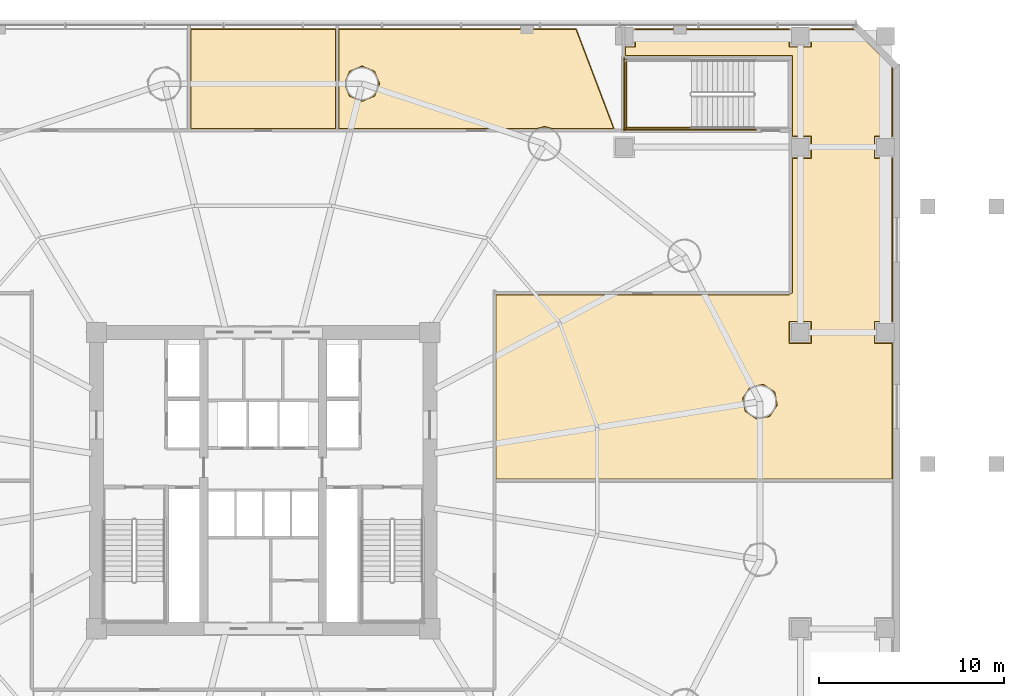
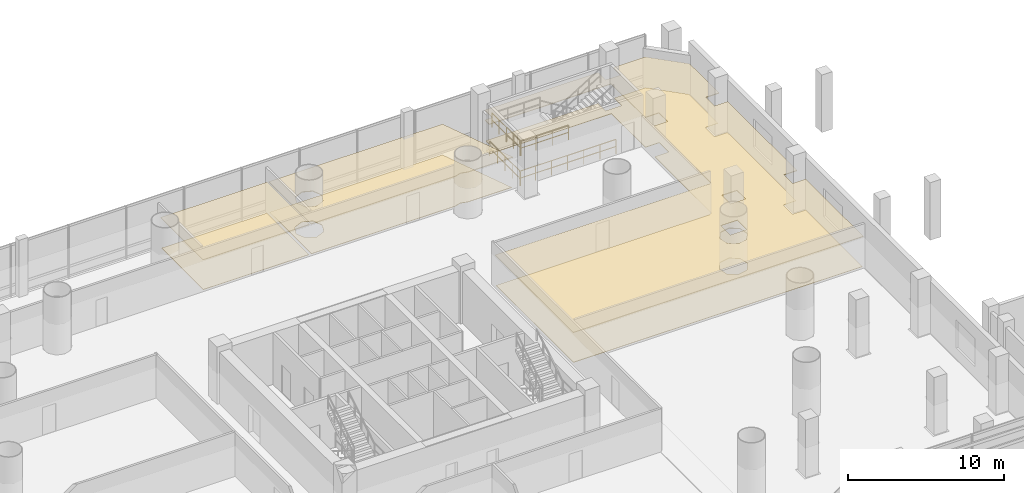
# One storey, part 32 of 36: 6 coverings, 4 railings.
"""IFC4 building model written with IfcOpenShell, lengths in metres."""

from ifc_helpers import new_model, si_unit, direction, frame, origin, origin_2d, place, context, subcontext, project, spatial, polyline, rectangle, outline, extrude, material, layer, layer_set, type_object, element, save


model = new_model("IFC4")

# Units and contexts
model_context = context("Model", 3, precision=1e-05, world=origin(), true_north=direction((-0.2419218956, 0.970295726276)))
body_context = subcontext(model_context, "Body", "Model", "MODEL_VIEW")
ifc_project = project(units=[si_unit("LENGTHUNIT", "METRE"), si_unit("AREAUNIT", "SQUARE_METRE"), si_unit("VOLUMEUNIT", "CUBIC_METRE"), si_unit("PLANEANGLEUNIT", "RADIAN"), si_unit("MASSUNIT", "GRAM", prefix="KILO")], contexts=[model_context])

# Site, building, storey
site_placement = place(None, origin())
site = spatial("IfcSite", under=ifc_project, at=site_placement, CompositionType="ELEMENT")
building_placement = place(site_placement, origin())
building = spatial("IfcBuilding", under=site, at=building_placement, Name="Cobrevalo Terracotta Tower", CompositionType="ELEMENT")
storey_placement = place(building_placement, frame((0.0, 0.0, 14.39990234375)))
storey = spatial("IfcBuildingStorey", under=building, at=storey_placement, Name="L03", CompositionType="ELEMENT", Elevation=14.39990234375)

# Coverings
ifc_material_1 = material(Name="Honed terracotta and granite tile", Category="masonry")
ifc_layer_1 = layer(ifc_material_1, 0.034912109375)
ifc_layer_set_1 = layer_set([ifc_layer_1], Name="Honed terracotta and granite tile")
covering_type_1 = type_object("IfcCoveringType", Name="Honed Terracotta & Granite Interior Flooring 35", PredefinedType="FLOORING", material=ifc_layer_set_1)
covering_1_placement = place(storey_placement, origin())
element("IfcCovering", 1, at=covering_1_placement, inside=storey, type_object=covering_type_1, Name="L03 Athletic Fitness Gym floor finish", PredefinedType="FLOORING", context=body_context, shape_type="SweptSolid", body=[
    extrude(outline(polyline([(50.580078125, 26.89990234375), (50.580078125, 36.820068359375), (66.40185546875, 36.820068359375), (66.572998046875, 36.947509765625), (66.578857421875, 44.199951171875), (67.60009765625, 44.199951171875), (67.60009765625, 45.39990234375), (66.579833984375, 45.39990234375), (66.570068359375, 49.739990234375), (57.550048828125, 49.739990234375), (57.550048828125, 50.199951171875), (58.10009765625, 50.199951171875), (58.10009765625, 51.159912109375), (66.39990234375, 51.159912109375), (66.39990234375, 50.199951171875), (67.60009765625, 50.199951171875), (67.60009765625, 51.159912109375), (69.921630859375, 51.159912109375), (71.9599609375, 49.121826171875), (71.9599609375, 45.39990234375), (71.0, 45.39990234375), (71.0, 44.199951171875), (71.9599609375, 44.199951171875), (71.9599609375, 35.39990234375), (71.0, 35.39990234375), (71.0, 34.199951171875), (71.9599609375, 34.199951171875), (71.9599609375, 26.89990234375), (50.580078125, 26.89990234375)]), holes=[polyline([(66.39990234375, 34.199951171875), (67.60009765625, 34.199951171875), (67.60009765625, 35.39990234375), (66.39990234375, 35.39990234375), (66.39990234375, 34.199951171875)]), polyline([(65.35791015625, 30.264404296875), (65.76611328125, 30.87548828125), (65.622802734375, 31.59619140625), (65.01171875, 32.00439453125), (64.291015625, 31.861083984375), (63.8828125, 31.25), (64.026123046875, 30.529296875), (64.63720703125, 30.12109375), (65.35791015625, 30.264404296875)])]), origin(), (0.0, 0.0, 1.0), 0.030029296875),
])
covering_2_placement = place(storey_placement, origin())
element("IfcCovering", 2, at=covering_2_placement, inside=storey, type_object=covering_type_1, Name="L03 Accessible Restroom WC floor finish", PredefinedType="FLOORING", context=body_context, shape_type="SweptSolid", body=[
    extrude(outline(polyline([(41.89990234375, 45.800048828125), (34.10009765625, 45.800048828125), (34.10009765625, 51.159912109375), (41.89990234375, 51.159912109375), (41.89990234375, 45.800048828125)])), origin(), (0.0, 0.0, 1.0), 0.030029296875),
])
covering_3_placement = place(storey_placement, origin())
element("IfcCovering", 3, at=covering_3_placement, inside=storey, type_object=covering_type_1, Name="L03 Podium Housekeeping Store floor finish", PredefinedType="FLOORING", context=body_context, shape_type="SweptSolid", body=[
    extrude(outline(polyline([(56.9208984375, 45.800048828125), (53.66455078125, 45.800048828125), (53.19482421875, 45.927734375), (52.725341796875, 45.800048828125), (42.10009765625, 45.800048828125), (42.10009765625, 51.159912109375), (54.88623046875, 51.159912109375), (56.9208984375, 45.800048828125)]), holes=[polyline([(44.0146484375, 47.55126953125), (44.2958984375, 48.230224609375), (44.0146484375, 48.908935546875), (43.335693359375, 49.190185546875), (42.65673828125, 48.908935546875), (42.375732421875, 48.230224609375), (42.65673828125, 47.55126953125), (43.335693359375, 47.27001953125), (44.0146484375, 47.55126953125)])]), origin(), (0.0, 0.0, 1.0), 0.030029296875),
])
ifc_material_2 = material(Name="Moisture-resistant mineral fibre ceiling", Category="gypsum")
ifc_layer_2 = layer(ifc_material_2, 0.0400390625)
ifc_layer_set_2 = layer_set([ifc_layer_2], Name="Moisture-resistant mineral fibre ceiling")
covering_type_2 = type_object("IfcCoveringType", Name="Moisture-Resistant Wet-Room Ceiling 40", PredefinedType="CEILING", material=ifc_layer_set_2)
covering_4_placement = place(storey_placement, frame((0.0, 0.0, 2.360107421875)))
element("IfcCovering", 4, at=covering_4_placement, inside=storey, type_object=covering_type_2, Name="L03 Accessible Restroom WC acoustic ceiling", PredefinedType="CEILING", context=body_context, shape_type="SweptSolid", body=[
    extrude(outline(polyline([(41.945068359375, 45.7548828125), (34.054931640625, 45.7548828125), (34.054931640625, 51.205078125), (41.945068359375, 51.205078125), (41.945068359375, 45.7548828125)])), origin(), (0.0, 0.0, 1.0), 0.050048828125),
])
ifc_material_3 = material(Name="Acoustic perforated gypsum ceiling", Category="gypsum")
ifc_layer_3 = layer(ifc_material_3, 0.050048828125)
ifc_layer_set_3 = layer_set([ifc_layer_3], Name="Acoustic perforated gypsum ceiling")
covering_type_3 = type_object("IfcCoveringType", Name="Perforated Acoustic Gypsum Ceiling 50", PredefinedType="CEILING", material=ifc_layer_set_3)
covering_5_placement = place(storey_placement, frame((0.0, 0.0, 2.360107421875)))
element("IfcCovering", 5, at=covering_5_placement, inside=storey, type_object=covering_type_3, Name="L03 Athletic Fitness Gym acoustic ceiling", PredefinedType="CEILING", context=body_context, shape_type="SweptSolid", body=[
    extrude(outline(polyline([(50.534912109375, 26.85498046875), (50.534912109375, 36.864990234375), (66.3974609375, 36.864990234375), (66.528076171875, 36.961181640625), (66.533935546875, 44.2451171875), (67.554931640625, 44.2451171875), (67.554931640625, 45.35498046875), (66.53466796875, 45.35498046875), (66.52490234375, 49.695068359375), (57.5048828125, 49.695068359375), (57.5048828125, 50.2451171875), (58.054931640625, 50.2451171875), (58.054931640625, 51.205078125), (66.445068359375, 51.205078125), (66.445068359375, 50.2451171875), (67.554931640625, 50.2451171875), (67.554931640625, 51.205078125), (69.9404296875, 51.205078125), (72.0048828125, 49.140380859375), (72.0048828125, 45.35498046875), (71.044921875, 45.35498046875), (71.044921875, 44.2451171875), (72.0048828125, 44.2451171875), (72.0048828125, 35.35498046875), (71.044921875, 35.35498046875), (71.044921875, 34.2451171875), (72.0048828125, 34.2451171875), (72.0048828125, 26.85498046875), (50.534912109375, 26.85498046875)]), holes=[polyline([(66.445068359375, 34.2451171875), (67.554931640625, 34.2451171875), (67.554931640625, 35.35498046875), (66.445068359375, 35.35498046875), (66.445068359375, 34.2451171875)]), polyline([(65.332763671875, 30.302001953125), (65.7216796875, 30.88427734375), (65.585205078125, 31.571044921875), (65.0029296875, 31.9599609375), (64.316162109375, 31.823486328125), (63.92724609375, 31.2412109375), (64.063720703125, 30.554443359375), (64.64599609375, 30.16552734375), (65.332763671875, 30.302001953125)])]), origin(), (0.0, 0.0, 1.0), 0.050048828125),
])
covering_6_placement = place(storey_placement, frame((0.0, 0.0, 2.360107421875)))
element("IfcCovering", 6, at=covering_6_placement, inside=storey, type_object=covering_type_3, Name="L03 Podium Housekeeping Store acoustic ceiling", PredefinedType="CEILING", context=body_context, shape_type="SweptSolid", body=[
    extrude(outline(polyline([(56.986328125, 45.7548828125), (53.653076171875, 45.7548828125), (53.19482421875, 45.882568359375), (52.736572265625, 45.7548828125), (42.054931640625, 45.7548828125), (42.054931640625, 51.205078125), (54.917236328125, 51.205078125), (56.986328125, 45.7548828125)]), holes=[polyline([(43.982666015625, 47.583251953125), (44.25048828125, 48.230224609375), (43.982666015625, 48.877197265625), (43.335693359375, 49.14501953125), (42.688720703125, 48.877197265625), (42.4208984375, 48.230224609375), (42.688720703125, 47.583251953125), (43.335693359375, 47.315185546875), (43.982666015625, 47.583251953125)])]), origin(), (0.0, 0.0, 1.0), 0.050048828125),
])

# Railings
ifc_material_4 = material(Name="Painted galvanized steel", Category="steel")
railing_type = type_object("IfcRailingType", Name="Stair Well Guard Balustrade 1150", PredefinedType="GUARDRAIL", material=ifc_material_4)
railing_1_placement = place(storey_placement, frame((61.139892578125, 45.85009765625, 2.25)))
element("IfcRailing", 7, at=railing_1_placement, inside=storey, type_object=railing_type, Name="L03 ST-P2 stair guard 4", PredefinedType="GUARDRAIL", context=body_context, shape_type="SweptSolid", body=[
    extrude(rectangle(XDim=0.048095703125, YDim=0.048095703125, at=origin_2d()), frame((0.0, 0.0, 1.1259765625), z_axis=(-1.0, 0.0, 0.0), x_axis=(0.0, -1.0, 0.0)), (0.0, 0.0, 1.0), 3.58984375),
    extrude(rectangle(XDim=0.048095703125, YDim=0.048095703125, at=origin_2d()), frame((0.0, 0.0, 0.574951171875), z_axis=(-1.0, 0.0, 0.0), x_axis=(0.0, -1.0, 0.0)), (0.0, 0.0, 1.0), 3.58984375),
    extrude(rectangle(XDim=0.0419921875, YDim=0.0419921875, at=origin_2d()), origin(), (0.0, 0.0, 1.0), 1.101806640625),
    extrude(rectangle(XDim=0.0419921875, YDim=0.0419921875, at=origin_2d()), frame((-1.196533203125, 0.0, 0.0)), (0.0, 0.0, 1.0), 1.101806640625),
    extrude(rectangle(XDim=0.0419921875, YDim=0.0419921875, at=origin_2d()), frame((-2.393310546875, 0.0, 0.0)), (0.0, 0.0, 1.0), 1.101806640625),
    extrude(rectangle(XDim=0.0419921875, YDim=0.0419921875, at=origin_2d()), frame((-3.58984375, 0.0, 0.0)), (0.0, 0.0, 1.0), 1.101806640625),
])
railing_2_placement = place(storey_placement, frame((57.60009765625, 49.52001953125, 2.25)))
element("IfcRailing", 8, at=railing_2_placement, inside=storey, type_object=railing_type, Name="L03 ST-P2 stair guard 5", PredefinedType="GUARDRAIL", context=body_context, shape_type="SweptSolid", body=[
    extrude(rectangle(XDim=0.048095703125, YDim=0.048095703125, at=origin_2d()), frame((0.0, 0.0, 1.1259765625), z_axis=(0.0, -1.0, 0.0), x_axis=(1.0, 0.0, 0.0)), (0.0, 0.0, 1.0), 3.719970703125),
    extrude(rectangle(XDim=0.048095703125, YDim=0.048095703125, at=origin_2d()), frame((0.0, 0.0, 0.574951171875), z_axis=(0.0, -1.0, 0.0), x_axis=(1.0, 0.0, 0.0)), (0.0, 0.0, 1.0), 3.719970703125),
    extrude(rectangle(XDim=0.0419921875, YDim=0.0419921875, at=origin_2d()), origin(), (0.0, 0.0, 1.0), 1.101806640625),
    extrude(rectangle(XDim=0.0419921875, YDim=0.0419921875, at=origin_2d()), frame((0.0, -0.929931640625, 0.0)), (0.0, 0.0, 1.0), 1.101806640625),
    extrude(rectangle(XDim=0.0419921875, YDim=0.0419921875, at=origin_2d()), frame((0.0, -1.85986328125, 0.0)), (0.0, 0.0, 1.0), 1.101806640625),
    extrude(rectangle(XDim=0.0419921875, YDim=0.0419921875, at=origin_2d()), frame((0.0, -2.7900390625, 0.0)), (0.0, 0.0, 1.0), 1.101806640625),
    extrude(rectangle(XDim=0.0419921875, YDim=0.0419921875, at=origin_2d()), frame((0.0, -3.719970703125, 0.0)), (0.0, 0.0, 1.0), 1.101806640625),
])
railing_3_placement = place(storey_placement, frame((64.60009765625, 45.75, 0.0)))
element("IfcRailing", 9, at=railing_3_placement, inside=storey, type_object=railing_type, Name="L03 ST-P2 stair guard 11", PredefinedType="GUARDRAIL", context=body_context, shape_type="SweptSolid", body=[
    extrude(rectangle(XDim=0.048095703125, YDim=0.048095703125, at=origin_2d()), frame((0.0, 0.0, 1.1259765625), z_axis=(-1.0, 0.0, 0.0), x_axis=(0.0, -1.0, 0.0)), (0.0, 0.0, 1.0), 7.150146484375),
    extrude(rectangle(XDim=0.048095703125, YDim=0.048095703125, at=origin_2d()), frame((0.0, 0.0, 0.574951171875), z_axis=(-1.0, 0.0, 0.0), x_axis=(0.0, -1.0, 0.0)), (0.0, 0.0, 1.0), 7.150146484375),
    extrude(rectangle(XDim=0.0419921875, YDim=0.0419921875, at=origin_2d()), origin(), (0.0, 0.0, 1.0), 1.101806640625),
    extrude(rectangle(XDim=0.0419921875, YDim=0.0419921875, at=origin_2d()), frame((-1.191650390625, 0.0, 0.0)), (0.0, 0.0, 1.0), 1.101806640625),
    extrude(rectangle(XDim=0.0419921875, YDim=0.0419921875, at=origin_2d()), frame((-2.38330078125, 0.0, 0.0)), (0.0, 0.0, 1.0), 1.101806640625),
    extrude(rectangle(XDim=0.0419921875, YDim=0.0419921875, at=origin_2d()), frame((-3.5751953125, 0.0, 0.0)), (0.0, 0.0, 1.0), 1.101806640625),
    extrude(rectangle(XDim=0.0419921875, YDim=0.0419921875, at=origin_2d()), frame((-4.766845703125, 0.0, 0.0)), (0.0, 0.0, 1.0), 1.101806640625),
    extrude(rectangle(XDim=0.0419921875, YDim=0.0419921875, at=origin_2d()), frame((-5.95849609375, 0.0, 0.0)), (0.0, 0.0, 1.0), 1.101806640625),
    extrude(rectangle(XDim=0.0419921875, YDim=0.0419921875, at=origin_2d()), frame((-7.150146484375, 0.0, 0.0)), (0.0, 0.0, 1.0), 1.101806640625),
])
railing_4_placement = place(storey_placement, frame((57.5, 49.6201171875, 0.0)))
element("IfcRailing", 10, at=railing_4_placement, inside=storey, type_object=railing_type, Name="L03 ST-P2 stair guard 12", PredefinedType="GUARDRAIL", context=body_context, shape_type="SweptSolid", body=[
    extrude(rectangle(XDim=0.048095703125, YDim=0.048095703125, at=origin_2d()), frame((0.0, 0.0, 1.1259765625), z_axis=(0.0, -1.0, 0.0), x_axis=(1.0, 0.0, 0.0)), (0.0, 0.0, 1.0), 3.920166015625),
    extrude(rectangle(XDim=0.048095703125, YDim=0.048095703125, at=origin_2d()), frame((0.0, 0.0, 0.574951171875), z_axis=(0.0, -1.0, 0.0), x_axis=(1.0, 0.0, 0.0)), (0.0, 0.0, 1.0), 3.920166015625),
    extrude(rectangle(XDim=0.0419921875, YDim=0.0419921875, at=origin_2d()), origin(), (0.0, 0.0, 1.0), 1.101806640625),
    extrude(rectangle(XDim=0.0419921875, YDim=0.0419921875, at=origin_2d()), frame((0.0, -0.97998046875, 0.0)), (0.0, 0.0, 1.0), 1.101806640625),
    extrude(rectangle(XDim=0.0419921875, YDim=0.0419921875, at=origin_2d()), frame((0.0, -1.9599609375, 0.0)), (0.0, 0.0, 1.0), 1.101806640625),
    extrude(rectangle(XDim=0.0419921875, YDim=0.0419921875, at=origin_2d()), frame((0.0, -2.940185546875, 0.0)), (0.0, 0.0, 1.0), 1.101806640625),
    extrude(rectangle(XDim=0.0419921875, YDim=0.0419921875, at=origin_2d()), frame((0.0, -3.920166015625, 0.0)), (0.0, 0.0, 1.0), 1.101806640625),
])

save(model, "model.ifc")
